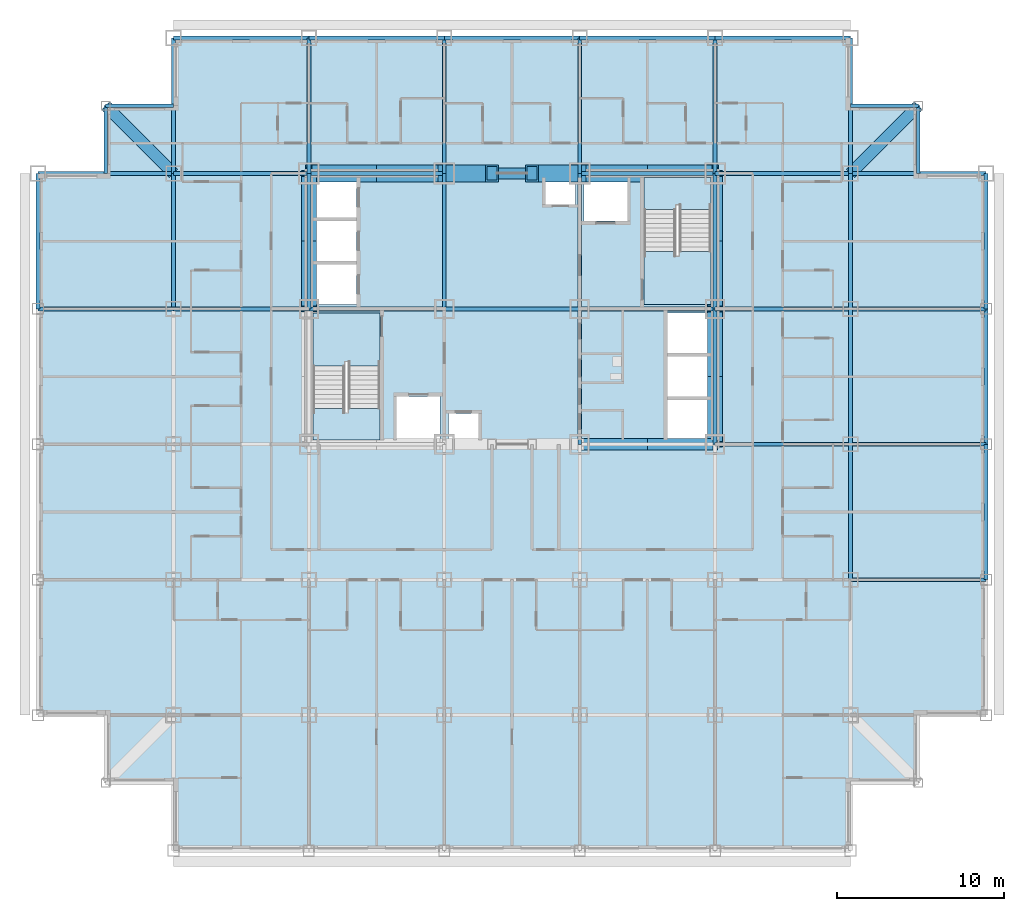
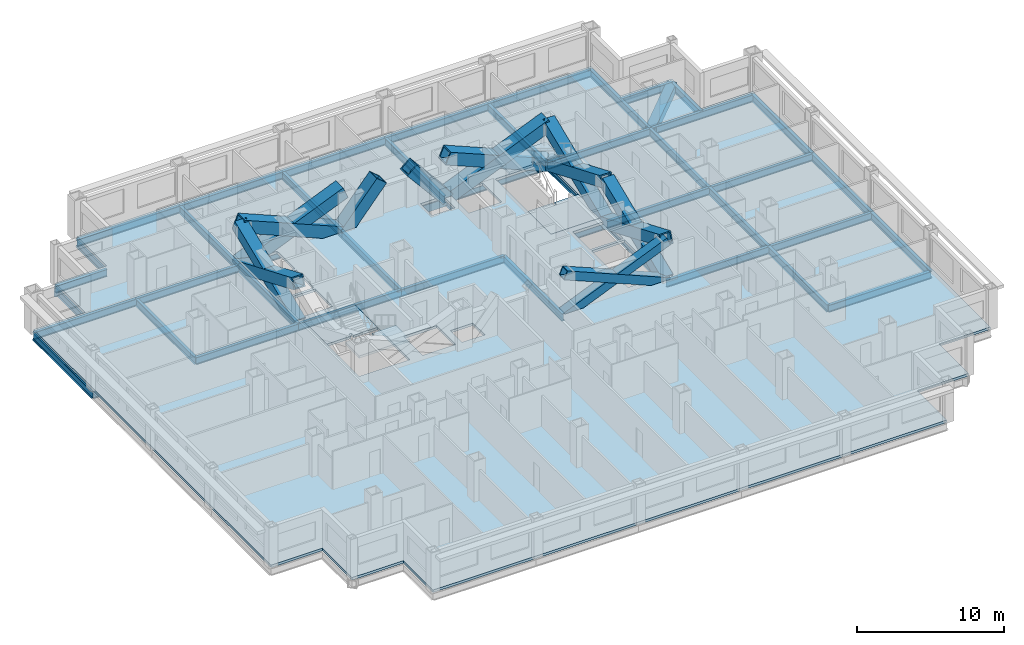
# One storey, part 2 of 12: 48 beams, 14 members, 5 slabs, 2 elements without a shape of their own.
"""IFC4 building model written with IfcOpenShell, lengths in metres."""

from ifc_helpers import new_model, si_unit, direction, frame, origin, origin_2d, place, context, subcontext, project, spatial, polyline, hollow_rectangle, i_section, outline, extrude, material, layer, layer_set, material_profile, profile_set, type_object, element, aggregate, save


model = new_model("IFC4")

# Units and contexts
model_context = context("Model", 3, precision=1e-05, world=origin(), true_north=direction((0.0, 1.0)))
body_context = subcontext(model_context, "Body", "Model", "MODEL_VIEW")
ifc_project = project(units=[si_unit("LENGTHUNIT", "METRE"), si_unit("AREAUNIT", "SQUARE_METRE"), si_unit("VOLUMEUNIT", "CUBIC_METRE"), si_unit("PLANEANGLEUNIT", "RADIAN"), si_unit("MASSUNIT", "GRAM", prefix="KILO")], contexts=[model_context])

# Site, building, storey
site_placement = place(None, origin())
site = spatial("IfcSite", under=ifc_project, at=site_placement, CompositionType="ELEMENT")
building_placement = place(site_placement, origin())
building = spatial("IfcBuilding", under=site, at=building_placement, Name="Kopane Lantern Tower", CompositionType="ELEMENT")
storey_placement = place(building_placement, frame((0.0, 0.0, 39.800048828125)))
storey = spatial("IfcBuildingStorey", under=building, at=storey_placement, Name="L08", CompositionType="ELEMENT", Elevation=39.800048828125)

# Members
ifc_material_1 = material(Name="Steel S355JR", Category="steel")
ifc_material_profile_1 = material_profile(ifc_material_1, hollow_rectangle(XDim=1.0, YDim=1.0, WallThickness=0.10009765625, at=origin_2d()), Name="BOX 1000x1000x100")
ifc_profile_set_1 = profile_set([ifc_material_profile_1], Name="Steel S355JR")
member_type_1 = type_object("IfcMemberType", Name="BRACE BOX 1000x1000x100", PredefinedType="BRACE", material=ifc_profile_set_1)
for number, where, z_axis, x_axis, name in (
    (1, (16.199951171875, 40.5, -0.2099609375), (0.922069000757, 0.0, 0.387025526088), (0.0, 1.0, 0.0), "Core brace L08"),
    (2, (24.300048828125, 40.5, -0.2099609375), (-0.922069000757, 0.0, 0.387025526088), (0.0, -1.0, 0.0), "Core brace L08"),
):
    element("IfcMember", number, at=place(storey_placement, frame(where, z_axis=z_axis, x_axis=x_axis)), inside=storey, type_object=member_type_1, Name=name, PredefinedType="BRACE", context=body_context, shape_type="SweptSolid", body=[
        extrude(hollow_rectangle(XDim=1.0, YDim=1.0, WallThickness=0.10009765625, at=origin_2d()), origin(), (0.0, 0.0, 1.0), 8.78466796875),
    ])
for number, where, z_axis, x_axis, name in (
    (3, (24.300048828125, 40.5, -0.2099609375), (0.642390257445, 0.0, 0.7663776857), (0.0, 1.0, 0.0), "Core brace L08"),
    (4, (32.39990234375, 40.5, -0.2099609375), (-0.642390257445, 0.0, 0.7663776857), (0.0, -1.0, 0.0), "Core brace L08"),
):
    element("IfcMember", number, at=place(storey_placement, frame(where, z_axis=z_axis, x_axis=x_axis)), inside=storey, type_object=member_type_1, Name=name, PredefinedType="BRACE", context=body_context, shape_type="SweptSolid", body=[
        extrude(hollow_rectangle(XDim=1.0, YDim=1.0, WallThickness=0.10009765625, at=origin_2d()), origin(), (0.0, 0.0, 1.0), 4.436279296875),
    ])
for number, where, z_axis, x_axis, name in (
    (5, (32.39990234375, 40.5, -0.2099609375), (0.922069000757, 0.0, 0.387025526088), (0.0, 1.0, 0.0), "Core brace L08"),
    (6, (40.5, 40.5, -0.2099609375), (-0.922069000757, 0.0, 0.387025526088), (0.0, -1.0, 0.0), "Core brace L08"),
):
    element("IfcMember", number, at=place(storey_placement, frame(where, z_axis=z_axis, x_axis=x_axis)), inside=storey, type_object=member_type_1, Name=name, PredefinedType="BRACE", context=body_context, shape_type="SweptSolid", body=[
        extrude(hollow_rectangle(XDim=1.0, YDim=1.0, WallThickness=0.10009765625, at=origin_2d()), origin(), (0.0, 0.0, 1.0), 8.78466796875),
    ])
ifc_material_2 = material(Name="Steel S355JR", Category="steel")
ifc_material_profile_2 = material_profile(ifc_material_2, hollow_rectangle(XDim=0.699951171875, YDim=0.699951171875, WallThickness=0.06005859375, at=origin_2d()), Name="BOX 700x700x60")
ifc_profile_set_2 = profile_set([ifc_material_profile_2], Name="Steel S355JR")
member_type_2 = type_object("IfcMemberType", Name="BRACE BOX 700x700x60", PredefinedType="BRACE", material=ifc_profile_set_2)
for number, where, z_axis, x_axis, name in (
    (7, (32.39990234375, 24.300048828125, -0.2099609375), (0.922069000757, 0.0, 0.387025526088), (0.0, 1.0, 0.0), "Core brace L08"),
    (8, (40.5, 24.300048828125, -0.2099609375), (-0.922069000757, 0.0, 0.387025526088), (0.0, -1.0, 0.0), "Core brace L08"),
):
    element("IfcMember", number, at=place(storey_placement, frame(where, z_axis=z_axis, x_axis=x_axis)), inside=storey, type_object=member_type_2, Name=name, PredefinedType="BRACE", context=body_context, shape_type="SweptSolid", body=[
        extrude(hollow_rectangle(XDim=0.699951171875, YDim=0.699951171875, WallThickness=0.06005859375, at=origin_2d()), origin(), (0.0, 0.0, 1.0), 8.78466796875),
    ])
ifc_material_3 = material(Name="Steel S355JR", Category="steel")
ifc_material_profile_3 = material_profile(ifc_material_3, hollow_rectangle(XDim=0.89990234375, YDim=0.89990234375, WallThickness=0.090087890625, at=origin_2d()), Name="BOX 900x900x90")
ifc_profile_set_3 = profile_set([ifc_material_profile_3], Name="Steel S355JR")
member_type_3 = type_object("IfcMemberType", Name="BRACE BOX 900x900x90", PredefinedType="BRACE", material=ifc_profile_set_3)
for number, where, z_axis, x_axis, name in (
    (9, (16.199951171875, 32.39990234375, -0.2099609375), (0.0, 0.922069000757, 0.387025526088), (-1.0, 0.0, 0.0), "Core brace L08"),
    (10, (16.199951171875, 40.5, -0.2099609375), (0.0, -0.922069000757, 0.387025526088), (1.0, 0.0, 0.0), "Core brace L08"),
):
    element("IfcMember", number, at=place(storey_placement, frame(where, z_axis=z_axis, x_axis=x_axis)), inside=storey, type_object=member_type_3, Name=name, PredefinedType="BRACE", context=body_context, shape_type="SweptSolid", body=[
        extrude(hollow_rectangle(XDim=0.89990234375, YDim=0.89990234375, WallThickness=0.090087890625, at=origin_2d()), origin(), (0.0, 0.0, 1.0), 8.78466796875),
    ])
for number, where, z_axis, x_axis, name in (
    (11, (40.5, 24.300048828125, -0.2099609375), (0.0, 0.922064837731, 0.38703544414), (-1.0, 0.0, 0.0), "Core brace L08"),
    (12, (40.5, 32.39990234375, -0.2099609375), (0.0, -0.922064837731, 0.38703544414), (1.0, 0.0, 0.0), "Core brace L08"),
):
    element("IfcMember", number, at=place(storey_placement, frame(where, z_axis=z_axis, x_axis=x_axis)), inside=storey, type_object=member_type_3, Name=name, PredefinedType="BRACE", context=body_context, shape_type="SweptSolid", body=[
        extrude(hollow_rectangle(XDim=0.89990234375, YDim=0.89990234375, WallThickness=0.090087890625, at=origin_2d()), origin(), (0.0, 0.0, 1.0), 8.784423828125),
    ])
for number, where, z_axis, x_axis, name in (
    (13, (40.5, 32.39990234375, -0.2099609375), (0.0, 0.922069000757, 0.387025526088), (-1.0, 0.0, 0.0), "Core brace L08"),
    (14, (40.5, 40.5, -0.2099609375), (0.0, -0.922069000757, 0.387025526088), (1.0, 0.0, 0.0), "Core brace L08"),
):
    element("IfcMember", number, at=place(storey_placement, frame(where, z_axis=z_axis, x_axis=x_axis)), inside=storey, type_object=member_type_3, Name=name, PredefinedType="BRACE", context=body_context, shape_type="SweptSolid", body=[
        extrude(hollow_rectangle(XDim=0.89990234375, YDim=0.89990234375, WallThickness=0.090087890625, at=origin_2d()), origin(), (0.0, 0.0, 1.0), 8.78466796875),
    ])

# Beams
ifc_material_4 = material(Name="Steel S355JR", Category="steel")
ifc_material_profile_4 = material_profile(ifc_material_4, i_section(OverallWidth=0.22900390625, OverallDepth=0.6123046875, WebThickness=0.011962890625, FlangeThickness=0.01953125, FilletRadius=0.0126953125, at=origin_2d()), Name="UB 610x229x125")
ifc_profile_set_4 = profile_set([ifc_material_profile_4], Name="Steel S355JR")
beam_type_1 = type_object("IfcBeamType", Name="CORE BEAM UB 610x229x125", PredefinedType="BEAM", material=ifc_profile_set_4)
for number, where, z_axis, x_axis, name in (
    (15, (16.199951171875, 32.39990234375, -0.51611328125), (1.0, 0.0, 0.0), (0.0, 1.0, 0.0), "Core Beam L08"),
    (16, (24.300048828125, 32.39990234375, -0.51611328125), (0.0, 1.0, 0.0), (-1.0, 0.0, 0.0), "Core Beam L08"),
):
    element("IfcBeam", number, at=place(storey_placement, frame(where, z_axis=z_axis, x_axis=x_axis)), inside=storey, type_object=beam_type_1, Name=name, PredefinedType="BEAM", context=body_context, shape_type="SweptSolid", body=[
        extrude(i_section(OverallWidth=0.22900390625, OverallDepth=0.6123046875, WebThickness=0.011962890625, FlangeThickness=0.01953125, FilletRadius=0.0126953125, at=origin_2d()), origin(), (0.0, 0.0, 1.0), 8.10009765625),
    ])
for number, where, z_axis, x_axis, name in (
    (17, (24.300048828125, 32.39990234375, -0.51611328125), (1.0, 0.0, 0.0), (0.0, 1.0, 0.0), "Core Beam L08"),
    (18, (32.39990234375, 24.300048828125, -0.51611328125), (0.0, 1.0, 0.0), (-1.0, 0.0, 0.0), "Core Beam L08"),
):
    element("IfcBeam", number, at=place(storey_placement, frame(where, z_axis=z_axis, x_axis=x_axis)), inside=storey, type_object=beam_type_1, Name=name, PredefinedType="BEAM", context=body_context, shape_type="SweptSolid", body=[
        extrude(i_section(OverallWidth=0.22900390625, OverallDepth=0.6123046875, WebThickness=0.011962890625, FlangeThickness=0.01953125, FilletRadius=0.0126953125, at=origin_2d()), origin(), (0.0, 0.0, 1.0), 8.099853515625),
    ])
for number, where, z_axis, x_axis, name in (
    (19, (32.39990234375, 32.39990234375, -0.51611328125), (0.0, 1.0, 0.0), (-1.0, 0.0, 0.0), "Core Beam L08"),
    (20, (32.39990234375, 32.39990234375, -0.51611328125), (1.0, 0.0, 0.0), (0.0, 1.0, 0.0), "Core Beam L08"),
):
    element("IfcBeam", number, at=place(storey_placement, frame(where, z_axis=z_axis, x_axis=x_axis)), inside=storey, type_object=beam_type_1, Name=name, PredefinedType="BEAM", context=body_context, shape_type="SweptSolid", body=[
        extrude(i_section(OverallWidth=0.22900390625, OverallDepth=0.6123046875, WebThickness=0.011962890625, FlangeThickness=0.01953125, FilletRadius=0.0126953125, at=origin_2d()), origin(), (0.0, 0.0, 1.0), 8.10009765625),
    ])
ifc_material_5 = material(Name="Steel S355JR", Category="steel")
ifc_material_profile_5 = material_profile(ifc_material_5, hollow_rectangle(XDim=0.699951171875, YDim=0.699951171875, WallThickness=0.06005859375, at=origin_2d()), Name="BOX 700x700x60")
ifc_profile_set_5 = profile_set([ifc_material_profile_5], Name="Steel S355JR")
beam_type_2 = type_object("IfcBeamType", Name="CORNER TIE BEAM BOX 700x700x60", PredefinedType="BEAM", material=ifc_profile_set_5)
for number, where, z_axis, x_axis, name in (
    (21, (4.050048828125, 44.550048828125, -0.56005859375), (0.707106781187, -0.707106781187, 0.0), (0.707106781187, 0.707106781187, 0.0), "Corner Tie Beam L08"),
    (22, (52.64990234375, 44.550048828125, -0.56005859375), (-0.707085467703, -0.707128094028, 0.0), (0.707128094028, -0.707085467703, 0.0), "Corner Tie Beam L08"),
):
    element("IfcBeam", number, at=place(storey_placement, frame(where, z_axis=z_axis, x_axis=x_axis)), inside=storey, type_object=beam_type_2, Name=name, PredefinedType="BEAM", context=body_context, shape_type="SweptSolid", body=[
        extrude(hollow_rectangle(XDim=0.699951171875, YDim=0.699951171875, WallThickness=0.06005859375, at=origin_2d()), origin(), (0.0, 0.0, 1.0), 5.7275390625),
    ])
ifc_material_6 = material(Name="Steel S355JR", Category="steel")
ifc_material_profile_6 = material_profile(ifc_material_6, i_section(OverallWidth=0.22900390625, OverallDepth=0.6123046875, WebThickness=0.011962890625, FlangeThickness=0.01953125, FilletRadius=0.0126953125, at=origin_2d()), Name="UB 610x229x125")
ifc_profile_set_6 = profile_set([ifc_material_profile_6], Name="Steel S355JR")
beam_type_3 = type_object("IfcBeamType", Name="EDGE BEAM UB 610x229x125", PredefinedType="BEAM", material=ifc_profile_set_6)
for number, where, z_axis, x_axis, name in (
    (23, (4.050048828125, 44.550048828125, -0.51611328125), (0.0, -1.0, 0.0), (1.0, 0.0, 0.0), "Edge Beam L08"),
    (24, (4.050048828125, 44.550048828125, -0.51611328125), (1.0, 0.0, 0.0), (0.0, 1.0, 0.0), "Edge Beam L08"),
):
    element("IfcBeam", number, at=place(storey_placement, frame(where, z_axis=z_axis, x_axis=x_axis)), inside=storey, type_object=beam_type_3, Name=name, PredefinedType="BEAM", context=body_context, shape_type="SweptSolid", body=[
        extrude(i_section(OverallWidth=0.22900390625, OverallDepth=0.6123046875, WebThickness=0.011962890625, FlangeThickness=0.01953125, FilletRadius=0.0126953125, at=origin_2d()), origin(), (0.0, 0.0, 1.0), 4.050048828125),
    ])
beam_1_placement = place(storey_placement, frame((52.64990234375, 44.550048828125, -0.51611328125), z_axis=(-1.0, 0.0, 0.0), x_axis=(0.0, -1.0, 0.0)))
element("IfcBeam", 25, at=beam_1_placement, inside=storey, type_object=beam_type_3, Name="Edge Beam L08", PredefinedType="BEAM", context=body_context, shape_type="SweptSolid", body=[
    extrude(i_section(OverallWidth=0.22900390625, OverallDepth=0.6123046875, WebThickness=0.011962890625, FlangeThickness=0.01953125, FilletRadius=0.0126953125, at=origin_2d()), origin(), (0.0, 0.0, 1.0), 4.0498046875),
])
beam_2_placement = place(storey_placement, frame((52.64990234375, 44.550048828125, -0.51611328125), z_axis=(0.0, -1.0, 0.0), x_axis=(1.0, 0.0, 0.0)))
element("IfcBeam", 26, at=beam_2_placement, inside=storey, type_object=beam_type_3, Name="Edge Beam L08", PredefinedType="BEAM", context=body_context, shape_type="SweptSolid", body=[
    extrude(i_section(OverallWidth=0.22900390625, OverallDepth=0.6123046875, WebThickness=0.011962890625, FlangeThickness=0.01953125, FilletRadius=0.0126953125, at=origin_2d()), origin(), (0.0, 0.0, 1.0), 4.050048828125),
])
ifc_material_7 = material(Name="Steel S355JR", Category="steel")
ifc_material_profile_7 = material_profile(ifc_material_7, i_section(OverallWidth=0.22900390625, OverallDepth=0.6123046875, WebThickness=0.011962890625, FlangeThickness=0.01953125, FilletRadius=0.0126953125, at=origin_2d()), Name="UB 610x229x125")
ifc_profile_set_7 = profile_set([ifc_material_profile_7], Name="Steel S355JR")
beam_type_4 = type_object("IfcBeamType", Name="GIRDER UB 610x229x125", PredefinedType="BEAM", material=ifc_profile_set_7)
for number, where, z_axis, x_axis, name in (
    (27, (0.0, 32.39990234375, -0.51611328125), (0.0, 1.0, 0.0), (-1.0, 0.0, 0.0), "Girder L08"),
    (28, (0.0, 32.39990234375, -0.51611328125), (1.0, 0.0, 0.0), (0.0, 1.0, 0.0), "Girder L08"),
    (29, (0.0, 40.5, -0.51611328125), (1.0, 0.0, 0.0), (0.0, 1.0, 0.0), "Girder L08"),
    (30, (8.10009765625, 32.39990234375, -0.51611328125), (0.0, 1.0, 0.0), (-1.0, 0.0, 0.0), "Girder L08"),
):
    element("IfcBeam", number, at=place(storey_placement, frame(where, z_axis=z_axis, x_axis=x_axis)), inside=storey, type_object=beam_type_4, Name=name, PredefinedType="BEAM", context=body_context, shape_type="SweptSolid", body=[
        extrude(i_section(OverallWidth=0.22900390625, OverallDepth=0.6123046875, WebThickness=0.011962890625, FlangeThickness=0.01953125, FilletRadius=0.0126953125, at=origin_2d()), origin(), (0.0, 0.0, 1.0), 8.10009765625),
    ])
beam_3_placement = place(storey_placement, frame((8.10009765625, 32.39990234375, -0.51611328125), z_axis=(1.0, 0.0, 0.0), x_axis=(0.0, 1.0, 0.0)))
element("IfcBeam", 31, at=beam_3_placement, inside=storey, type_object=beam_type_4, Name="Girder L08", PredefinedType="BEAM", context=body_context, shape_type="SweptSolid", body=[
    extrude(i_section(OverallWidth=0.22900390625, OverallDepth=0.6123046875, WebThickness=0.011962890625, FlangeThickness=0.01953125, FilletRadius=0.0126953125, at=origin_2d()), origin(), (0.0, 0.0, 1.0), 8.099853515625),
])
beam_4_placement = place(storey_placement, frame((8.10009765625, 40.5, -0.51611328125), z_axis=(0.0, 1.0, 0.0), x_axis=(-1.0, 0.0, 0.0)))
element("IfcBeam", 32, at=beam_4_placement, inside=storey, type_object=beam_type_4, Name="Girder L08", PredefinedType="BEAM", context=body_context, shape_type="SweptSolid", body=[
    extrude(i_section(OverallWidth=0.22900390625, OverallDepth=0.6123046875, WebThickness=0.011962890625, FlangeThickness=0.01953125, FilletRadius=0.0126953125, at=origin_2d()), origin(), (0.0, 0.0, 1.0), 8.10009765625),
])
for number, where, z_axis, x_axis, name in (
    (33, (8.10009765625, 40.5, -0.51611328125), (1.0, 0.0, 0.0), (0.0, 1.0, 0.0), "Girder L08"),
    (34, (8.10009765625, 48.60009765625, -0.51611328125), (1.0, 0.0, 0.0), (0.0, 1.0, 0.0), "Girder L08"),
):
    element("IfcBeam", number, at=place(storey_placement, frame(where, z_axis=z_axis, x_axis=x_axis)), inside=storey, type_object=beam_type_4, Name=name, PredefinedType="BEAM", context=body_context, shape_type="SweptSolid", body=[
        extrude(i_section(OverallWidth=0.22900390625, OverallDepth=0.6123046875, WebThickness=0.011962890625, FlangeThickness=0.01953125, FilletRadius=0.0126953125, at=origin_2d()), origin(), (0.0, 0.0, 1.0), 8.099853515625),
    ])
for number, where, z_axis, x_axis, name in (
    (35, (16.199951171875, 32.39990234375, -0.51611328125), (0.0, 1.0, 0.0), (-1.0, 0.0, 0.0), "Girder L08"),
    (36, (16.199951171875, 40.5, -0.51611328125), (0.0, 1.0, 0.0), (-1.0, 0.0, 0.0), "Girder L08"),
    (37, (16.199951171875, 40.5, -0.51611328125), (1.0, 0.0, 0.0), (0.0, 1.0, 0.0), "Girder L08"),
    (38, (16.199951171875, 48.60009765625, -0.51611328125), (1.0, 0.0, 0.0), (0.0, 1.0, 0.0), "Girder L08"),
    (39, (24.300048828125, 40.5, -0.51611328125), (0.0, 1.0, 0.0), (-1.0, 0.0, 0.0), "Girder L08"),
):
    element("IfcBeam", number, at=place(storey_placement, frame(where, z_axis=z_axis, x_axis=x_axis)), inside=storey, type_object=beam_type_4, Name=name, PredefinedType="BEAM", context=body_context, shape_type="SweptSolid", body=[
        extrude(i_section(OverallWidth=0.22900390625, OverallDepth=0.6123046875, WebThickness=0.011962890625, FlangeThickness=0.01953125, FilletRadius=0.0126953125, at=origin_2d()), origin(), (0.0, 0.0, 1.0), 8.10009765625),
    ])
beam_5_placement = place(storey_placement, frame((24.300048828125, 48.60009765625, -0.51611328125), z_axis=(1.0, 0.0, 0.0), x_axis=(0.0, 1.0, 0.0)))
element("IfcBeam", 40, at=beam_5_placement, inside=storey, type_object=beam_type_4, Name="Girder L08", PredefinedType="BEAM", context=body_context, shape_type="SweptSolid", body=[
    extrude(i_section(OverallWidth=0.22900390625, OverallDepth=0.6123046875, WebThickness=0.011962890625, FlangeThickness=0.01953125, FilletRadius=0.0126953125, at=origin_2d()), origin(), (0.0, 0.0, 1.0), 8.099853515625),
])
for number, where, z_axis, x_axis, name in (
    (41, (32.39990234375, 40.5, -0.51611328125), (0.0, 1.0, 0.0), (-1.0, 0.0, 0.0), "Girder L08"),
    (42, (32.39990234375, 40.5, -0.51611328125), (1.0, 0.0, 0.0), (0.0, 1.0, 0.0), "Girder L08"),
    (43, (32.39990234375, 48.60009765625, -0.51611328125), (1.0, 0.0, 0.0), (0.0, 1.0, 0.0), "Girder L08"),
):
    element("IfcBeam", number, at=place(storey_placement, frame(where, z_axis=z_axis, x_axis=x_axis)), inside=storey, type_object=beam_type_4, Name=name, PredefinedType="BEAM", context=body_context, shape_type="SweptSolid", body=[
        extrude(i_section(OverallWidth=0.22900390625, OverallDepth=0.6123046875, WebThickness=0.011962890625, FlangeThickness=0.01953125, FilletRadius=0.0126953125, at=origin_2d()), origin(), (0.0, 0.0, 1.0), 8.10009765625),
    ])
beam_6_placement = place(storey_placement, frame((40.5, 24.300048828125, -0.51611328125), z_axis=(0.0, 1.0, 0.0), x_axis=(-1.0, 0.0, 0.0)))
element("IfcBeam", 44, at=beam_6_placement, inside=storey, type_object=beam_type_4, Name="Girder L08", PredefinedType="BEAM", context=body_context, shape_type="SweptSolid", body=[
    extrude(i_section(OverallWidth=0.22900390625, OverallDepth=0.6123046875, WebThickness=0.011962890625, FlangeThickness=0.01953125, FilletRadius=0.0126953125, at=origin_2d()), origin(), (0.0, 0.0, 1.0), 8.099853515625),
])
for number, where, z_axis, x_axis, name in (
    (45, (40.5, 24.300048828125, -0.51611328125), (1.0, 0.0, 0.0), (0.0, 1.0, 0.0), "Girder L08"),
    (46, (40.5, 32.39990234375, -0.51611328125), (0.0, 1.0, 0.0), (-1.0, 0.0, 0.0), "Girder L08"),
    (47, (40.5, 32.39990234375, -0.51611328125), (1.0, 0.0, 0.0), (0.0, 1.0, 0.0), "Girder L08"),
    (48, (40.5, 40.5, -0.51611328125), (0.0, 1.0, 0.0), (-1.0, 0.0, 0.0), "Girder L08"),
    (49, (40.5, 40.5, -0.51611328125), (1.0, 0.0, 0.0), (0.0, 1.0, 0.0), "Girder L08"),
    (50, (40.5, 48.60009765625, -0.51611328125), (1.0, 0.0, 0.0), (0.0, 1.0, 0.0), "Girder L08"),
    (51, (48.60009765625, 16.199951171875, -0.51611328125), (0.0, 1.0, 0.0), (-1.0, 0.0, 0.0), "Girder L08"),
):
    element("IfcBeam", number, at=place(storey_placement, frame(where, z_axis=z_axis, x_axis=x_axis)), inside=storey, type_object=beam_type_4, Name=name, PredefinedType="BEAM", context=body_context, shape_type="SweptSolid", body=[
        extrude(i_section(OverallWidth=0.22900390625, OverallDepth=0.6123046875, WebThickness=0.011962890625, FlangeThickness=0.01953125, FilletRadius=0.0126953125, at=origin_2d()), origin(), (0.0, 0.0, 1.0), 8.10009765625),
    ])
for number, where, z_axis, x_axis, name in (
    (52, (48.60009765625, 16.199951171875, -0.51611328125), (1.0, 0.0, 0.0), (0.0, 1.0, 0.0), "Girder L08"),
    (53, (48.60009765625, 24.300048828125, -0.51611328125), (0.0, 1.0, 0.0), (-1.0, 0.0, 0.0), "Girder L08"),
    (54, (48.60009765625, 24.300048828125, -0.51611328125), (1.0, 0.0, 0.0), (0.0, 1.0, 0.0), "Girder L08"),
):
    element("IfcBeam", number, at=place(storey_placement, frame(where, z_axis=z_axis, x_axis=x_axis)), inside=storey, type_object=beam_type_4, Name=name, PredefinedType="BEAM", context=body_context, shape_type="SweptSolid", body=[
        extrude(i_section(OverallWidth=0.22900390625, OverallDepth=0.6123046875, WebThickness=0.011962890625, FlangeThickness=0.01953125, FilletRadius=0.0126953125, at=origin_2d()), origin(), (0.0, 0.0, 1.0), 8.099853515625),
    ])
beam_7_placement = place(storey_placement, frame((48.60009765625, 32.39990234375, -0.51611328125), z_axis=(0.0, 1.0, 0.0), x_axis=(-1.0, 0.0, 0.0)))
element("IfcBeam", 55, at=beam_7_placement, inside=storey, type_object=beam_type_4, Name="Girder L08", PredefinedType="BEAM", context=body_context, shape_type="SweptSolid", body=[
    extrude(i_section(OverallWidth=0.22900390625, OverallDepth=0.6123046875, WebThickness=0.011962890625, FlangeThickness=0.01953125, FilletRadius=0.0126953125, at=origin_2d()), origin(), (0.0, 0.0, 1.0), 8.10009765625),
])
beam_8_placement = place(storey_placement, frame((48.60009765625, 32.39990234375, -0.51611328125), z_axis=(1.0, 0.0, 0.0), x_axis=(0.0, 1.0, 0.0)))
element("IfcBeam", 56, at=beam_8_placement, inside=storey, type_object=beam_type_4, Name="Girder L08", PredefinedType="BEAM", context=body_context, shape_type="SweptSolid", body=[
    extrude(i_section(OverallWidth=0.22900390625, OverallDepth=0.6123046875, WebThickness=0.011962890625, FlangeThickness=0.01953125, FilletRadius=0.0126953125, at=origin_2d()), origin(), (0.0, 0.0, 1.0), 8.099853515625),
])
beam_9_placement = place(storey_placement, frame((48.60009765625, 40.5, -0.51611328125), z_axis=(0.0, 1.0, 0.0), x_axis=(-1.0, 0.0, 0.0)))
element("IfcBeam", 57, at=beam_9_placement, inside=storey, type_object=beam_type_4, Name="Girder L08", PredefinedType="BEAM", context=body_context, shape_type="SweptSolid", body=[
    extrude(i_section(OverallWidth=0.22900390625, OverallDepth=0.6123046875, WebThickness=0.011962890625, FlangeThickness=0.01953125, FilletRadius=0.0126953125, at=origin_2d()), origin(), (0.0, 0.0, 1.0), 8.10009765625),
])
beam_10_placement = place(storey_placement, frame((48.60009765625, 40.5, -0.51611328125), z_axis=(1.0, 0.0, 0.0), x_axis=(0.0, 1.0, 0.0)))
element("IfcBeam", 58, at=beam_10_placement, inside=storey, type_object=beam_type_4, Name="Girder L08", PredefinedType="BEAM", context=body_context, shape_type="SweptSolid", body=[
    extrude(i_section(OverallWidth=0.22900390625, OverallDepth=0.6123046875, WebThickness=0.011962890625, FlangeThickness=0.01953125, FilletRadius=0.0126953125, at=origin_2d()), origin(), (0.0, 0.0, 1.0), 8.099853515625),
])
beam_11_placement = place(storey_placement, frame((56.699951171875, 16.199951171875, -0.51611328125), z_axis=(0.0, 1.0, 0.0), x_axis=(-1.0, 0.0, 0.0)))
element("IfcBeam", 59, at=beam_11_placement, inside=storey, type_object=beam_type_4, Name="Girder L08", PredefinedType="BEAM", context=body_context, shape_type="SweptSolid", body=[
    extrude(i_section(OverallWidth=0.22900390625, OverallDepth=0.6123046875, WebThickness=0.011962890625, FlangeThickness=0.01953125, FilletRadius=0.0126953125, at=origin_2d()), origin(), (0.0, 0.0, 1.0), 8.10009765625),
])
beam_12_placement = place(storey_placement, frame((56.699951171875, 24.300048828125, -0.51611328125), z_axis=(0.0, 1.0, 0.0), x_axis=(-1.0, 0.0, 0.0)))
element("IfcBeam", 60, at=beam_12_placement, inside=storey, type_object=beam_type_4, Name="Girder L08", PredefinedType="BEAM", context=body_context, shape_type="SweptSolid", body=[
    extrude(i_section(OverallWidth=0.22900390625, OverallDepth=0.6123046875, WebThickness=0.011962890625, FlangeThickness=0.01953125, FilletRadius=0.0126953125, at=origin_2d()), origin(), (0.0, 0.0, 1.0), 8.099853515625),
])
beam_13_placement = place(storey_placement, frame((56.699951171875, 32.39990234375, -0.51611328125), z_axis=(0.0, 1.0, 0.0), x_axis=(-1.0, 0.0, 0.0)))
element("IfcBeam", 61, at=beam_13_placement, inside=storey, type_object=beam_type_4, Name="Girder L08", PredefinedType="BEAM", context=body_context, shape_type="SweptSolid", body=[
    extrude(i_section(OverallWidth=0.22900390625, OverallDepth=0.6123046875, WebThickness=0.011962890625, FlangeThickness=0.01953125, FilletRadius=0.0126953125, at=origin_2d()), origin(), (0.0, 0.0, 1.0), 8.10009765625),
])
ifc_material_8 = material(Name="Steel S355JR", Category="steel")
ifc_material_profile_8 = material_profile(ifc_material_8, hollow_rectangle(XDim=0.64990234375, YDim=0.64990234375, WallThickness=0.070068359375, at=origin_2d()), Name="BOX 650x650x70")
ifc_profile_set_8 = profile_set([ifc_material_profile_8], Name="Steel S355JR")
beam_type_5 = type_object("IfcBeamType", Name="LINK BEAM BOX 650x650x70", PredefinedType="BEAM", material=ifc_profile_set_8)
beam_14_placement = place(storey_placement, frame((24.300048828125, 40.5, -0.53515625), z_axis=(1.0, 0.0, 0.0), x_axis=(0.0, 1.0, 0.0)))
element("IfcBeam", 62, at=beam_14_placement, inside=storey, type_object=beam_type_5, Name="Link Beam L08", PredefinedType="BEAM", context=body_context, shape_type="SweptSolid", body=[
    extrude(hollow_rectangle(XDim=0.64990234375, YDim=0.64990234375, WallThickness=0.070068359375, at=origin_2d()), origin(), (0.0, 0.0, 1.0), 8.099853515625),
])

# Slab
ifc_material_9 = material(Name="Concrete C40/50", Category="concrete")
ifc_layer_1 = layer(ifc_material_9, 0.2099609375)
ifc_layer_set_1 = layer_set([ifc_layer_1], Name="SLAB 210 COMPOSITE")
slab_type_1 = type_object("IfcSlabType", Name="SLAB 210 COMPOSITE", PredefinedType="FLOOR", material=ifc_layer_set_1)
slab_1_placement = place(storey_placement, frame((0.0, 0.0, -0.2099609375)))
element("IfcSlab", 63, at=slab_1_placement, inside=storey, type_object=slab_type_1, Name="Floor slab L08", PredefinedType="FLOOR", context=body_context, shape_type="SweptSolid", body=[
    extrude(outline(polyline([(8.10009765625, 0.0), (48.60009765625, 0.0), (48.60009765625, 4.050048828125), (52.64990234375, 4.050048828125), (52.64990234375, 8.10009765625), (56.699951171875, 8.10009765625), (56.699951171875, 40.5), (52.64990234375, 40.5), (52.64990234375, 44.550048828125), (48.60009765625, 44.550048828125), (48.60009765625, 48.60009765625), (8.10009765625, 48.60009765625), (8.10009765625, 44.550048828125), (4.050048828125, 44.550048828125), (4.050048828125, 40.5), (0.0, 40.5), (0.0, 8.10009765625), (4.050048828125, 8.10009765625), (4.050048828125, 4.050048828125), (8.10009765625, 4.050048828125), (8.10009765625, 0.0)]), holes=[polyline([(16.449951171875, 24.550048828125), (20.449951171875, 24.550048828125), (20.449951171875, 32.14990234375), (16.449951171875, 32.14990234375), (16.449951171875, 24.550048828125)]), polyline([(36.25, 32.64990234375), (40.25, 32.64990234375), (40.25, 40.25), (36.25, 40.25), (36.25, 32.64990234375)]), polyline([(16.449951171875, 32.64990234375), (19.050048828125, 32.64990234375), (19.050048828125, 35.050048828125), (16.449951171875, 35.050048828125), (16.449951171875, 32.64990234375)]), polyline([(16.449951171875, 35.25), (19.050048828125, 35.25), (19.050048828125, 37.64990234375), (16.449951171875, 37.64990234375), (16.449951171875, 35.25)]), polyline([(16.449951171875, 37.85009765625), (19.050048828125, 37.85009765625), (19.050048828125, 40.25), (16.449951171875, 40.25), (16.449951171875, 37.85009765625)]), polyline([(37.64990234375, 24.550048828125), (40.25, 24.550048828125), (40.25, 26.949951171875), (37.64990234375, 26.949951171875), (37.64990234375, 24.550048828125)]), polyline([(37.64990234375, 27.14990234375), (40.25, 27.14990234375), (40.25, 29.550048828125), (37.64990234375, 29.550048828125), (37.64990234375, 27.14990234375)]), polyline([(37.64990234375, 29.75), (40.25, 29.75), (40.25, 32.14990234375), (37.64990234375, 32.14990234375), (37.64990234375, 29.75)]), polyline([(21.449951171875, 24.550048828125), (24.050048828125, 24.550048828125), (24.050048828125, 27.14990234375), (21.449951171875, 27.14990234375), (21.449951171875, 24.550048828125)]), polyline([(32.64990234375, 37.64990234375), (35.25, 37.64990234375), (35.25, 40.25), (32.64990234375, 40.25), (32.64990234375, 37.64990234375)]), polyline([(24.550048828125, 24.550048828125), (26.35009765625, 24.550048828125), (26.35009765625, 26.14990234375), (24.550048828125, 26.14990234375), (24.550048828125, 24.550048828125)]), polyline([(30.35009765625, 38.64990234375), (32.14990234375, 38.64990234375), (32.14990234375, 40.25), (30.35009765625, 40.25), (30.35009765625, 38.64990234375)])]), origin(), (0.0, 0.0, 1.0), 0.2099609375),
])

# Stair, slabs
ifc_material_10 = material(Name="Steel S355JR", Category="steel")
stair_type = type_object("IfcStairType", Name="EXIT STAIR 1900 HALF TURN", PredefinedType="HALF_TURN_STAIR", material=ifc_material_10)
stair_1_placement = place(storey_placement, origin())
stair_1 = element("IfcStair", 64, at=stair_1_placement, inside=storey, type_object=stair_type, Name="Exit stair ST1 L08", PredefinedType="HALF_TURN_STAIR")
ifc_material_11 = material(Name="Concrete C40/50", Category="concrete")
ifc_layer_2 = layer(ifc_material_11, 0.199951171875)
ifc_layer_set_2 = layer_set([ifc_layer_2], Name="STAIR LANDING 200")
slab_type_2 = type_object("IfcSlabType", Name="STAIR LANDING 200", PredefinedType="LANDING", material=ifc_layer_set_2)
slab_2_placement = place(storey_placement, frame((0.0, 0.0, -0.199951171875)))
slab_2 = element("IfcSlab", 65, at=slab_2_placement, type_object=slab_type_2, Name="ST1 landing 1", PredefinedType="LANDING", context=body_context, shape_type="SweptSolid", body=[
    extrude(outline(polyline([(18.35009765625, 29.25), (18.550048828125, 29.25), (18.550048828125, 28.969970703125), (20.449951171875, 28.969970703125), (20.449951171875, 32.14990234375), (16.449951171875, 32.14990234375), (16.449951171875, 28.969970703125), (18.35009765625, 28.969970703125), (18.35009765625, 29.25)])), origin(), (0.0, 0.0, 1.0), 0.199951171875),
])
slab_3_placement = place(storey_placement, frame((0.0, 0.0, 1.5)))
slab_3 = element("IfcSlab", 66, at=slab_3_placement, type_object=slab_type_2, Name="ST1 landing 2", PredefinedType="LANDING", context=body_context, shape_type="SweptSolid", body=[
    extrude(outline(polyline([(20.449951171875, 26.449951171875), (18.550048828125, 26.449951171875), (18.550048828125, 26.169921875), (18.35009765625, 26.169921875), (18.35009765625, 26.449951171875), (16.449951171875, 26.449951171875), (16.449951171875, 24.550048828125), (20.449951171875, 24.550048828125), (20.449951171875, 26.449951171875)])), origin(), (0.0, 0.0, 1.0), 0.199951171875),
])
aggregate(stair_1, [slab_2, slab_3])

stair_2_placement = place(storey_placement, origin())
stair_2 = element("IfcStair", 67, at=stair_2_placement, inside=storey, type_object=stair_type, Name="Exit stair ST2 L08", PredefinedType="HALF_TURN_STAIR")
slab_4_placement = place(storey_placement, frame((0.0, 0.0, -0.199951171875)))
slab_4 = element("IfcSlab", 68, at=slab_4_placement, type_object=slab_type_2, Name="ST2 landing 1", PredefinedType="LANDING", context=body_context, shape_type="SweptSolid", body=[
    extrude(outline(polyline([(40.25, 35.830078125), (38.35009765625, 35.830078125), (38.35009765625, 35.550048828125), (38.14990234375, 35.550048828125), (38.14990234375, 35.830078125), (36.25, 35.830078125), (36.25, 32.64990234375), (40.25, 32.64990234375), (40.25, 35.830078125)])), origin(), (0.0, 0.0, 1.0), 0.199951171875),
])
slab_5_placement = place(storey_placement, frame((0.0, 0.0, 1.5)))
slab_5 = element("IfcSlab", 69, at=slab_5_placement, type_object=slab_type_2, Name="ST2 landing 2", PredefinedType="LANDING", context=body_context, shape_type="SweptSolid", body=[
    extrude(outline(polyline([(38.14990234375, 38.6298828125), (38.35009765625, 38.6298828125), (38.35009765625, 38.35009765625), (40.25, 38.35009765625), (40.25, 40.25), (36.25, 40.25), (36.25, 38.35009765625), (38.14990234375, 38.35009765625), (38.14990234375, 38.6298828125)])), origin(), (0.0, 0.0, 1.0), 0.199951171875),
])
aggregate(stair_2, [slab_4, slab_5])

save(model, "model.ifc")
